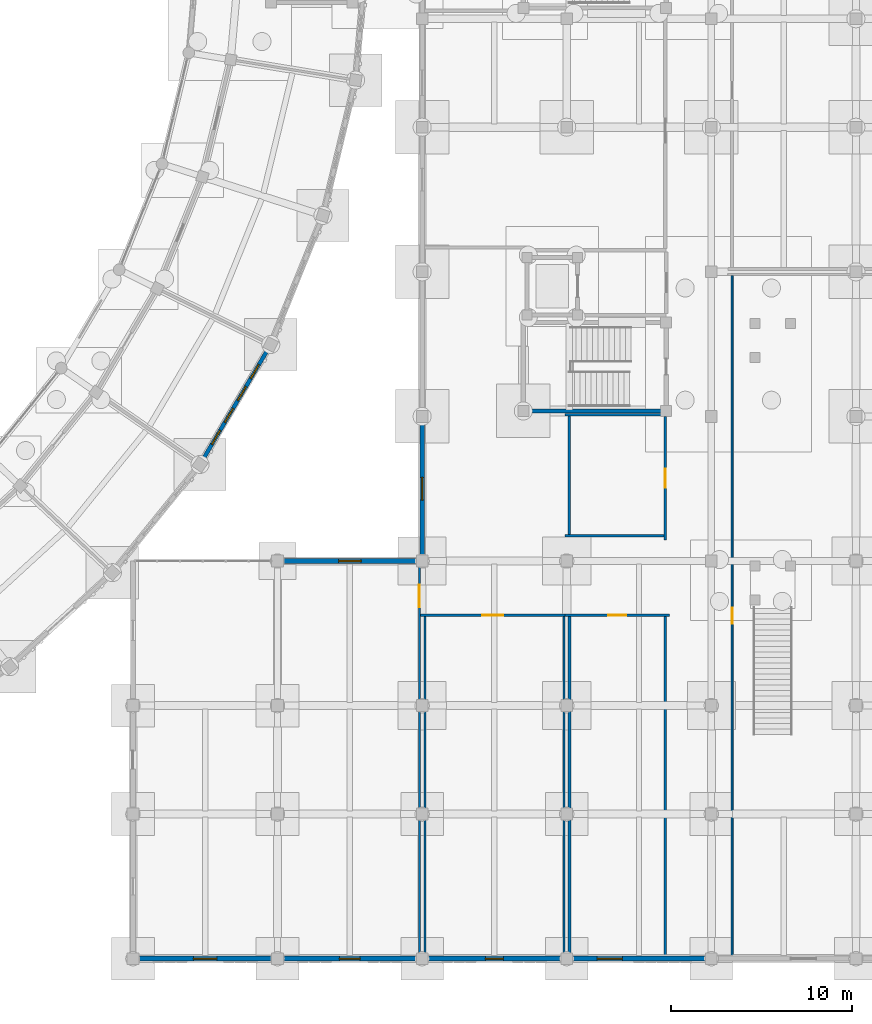
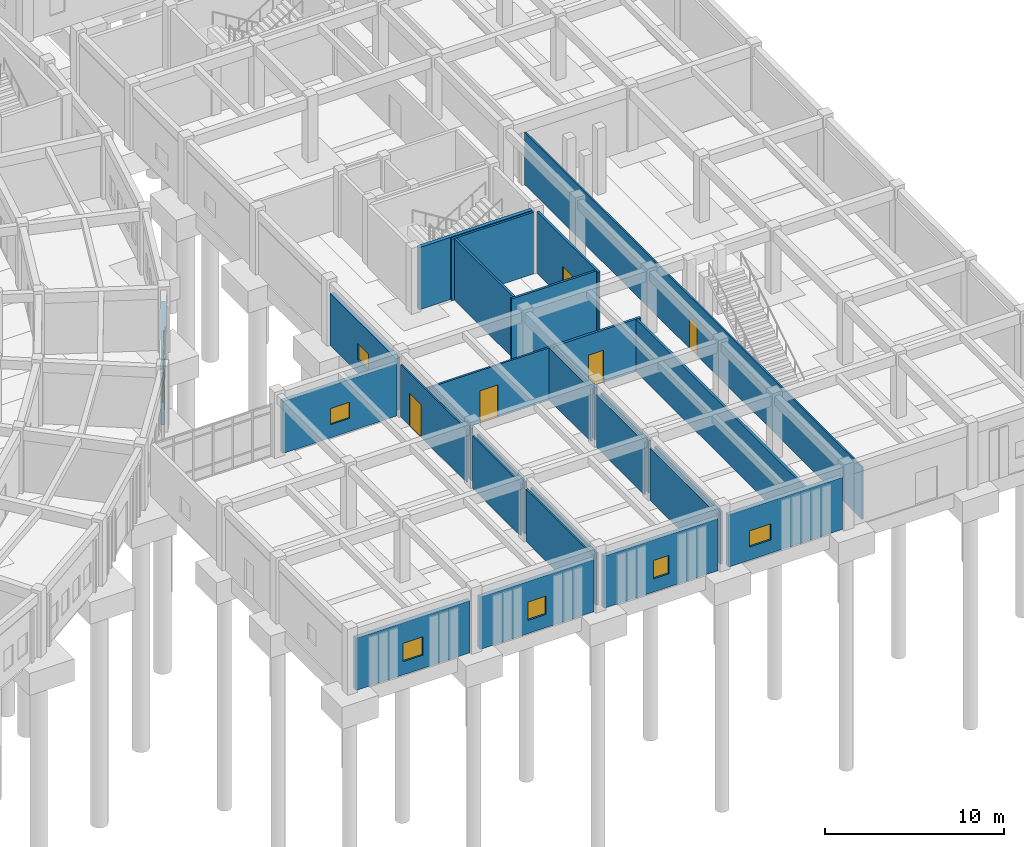
# One storey, part 132 of 153: 28 walls, 10 windows, 5 doors, 15 openings.
"""IFC4 building model written with IfcOpenShell, lengths in metres."""

import ifcopenshell
import ifcopenshell.guid

model = None  # the IFC model being written
_history = None  # IfcOwnerHistory: only IFC2X3 demands one
_inside = {}  # id of a spatial element -> (the spatial element, [elements in it])
_under = {}  # id of a project, library or spatial element -> (it, [spatial elements below it])
_declared = {}  # id of a project -> (the project, [libraries it declares])
_typed = {}  # id of a type object -> (the type object, [elements of that type])
_made_of = {}  # id of a material, layer set ... -> (it, [elements and type objects made of it])


def new_model(schema):
    """Start an empty IFC model of exactly this schema.

    Asked for "IFC4X3", IfcOpenShell would pick the latest addendum, in which some entities
    have other attributes; the version numbers below select the first issue.
    IFC2X3 requires an IfcOwnerHistory on every rooted entity: one is made here for all.
    """
    global model, _history
    if schema == "IFC4X3":
        model = ifcopenshell.file(schema_version=(4, 3, 0, 0))
    else:
        model = ifcopenshell.file(schema=schema)
    _inside.clear()
    _under.clear()
    _declared.clear()
    _typed.clear()
    _made_of.clear()
    _history = None
    if model.schema == "IFC2X3":
        org = make("IfcOrganization", Name="unknown")
        user = make(
            "IfcPersonAndOrganization",
            ThePerson=make("IfcPerson", FamilyName="unknown"),
            TheOrganization=org,
        )
        app = make(
            "IfcApplication",
            ApplicationDeveloper=org,
            Version="unknown",
            ApplicationFullName="unknown",
            ApplicationIdentifier="unknown",
        )
        _history = make(
            "IfcOwnerHistory",
            OwningUser=user,
            OwningApplication=app,
            ChangeAction="ADDED",
            CreationDate=0,
        )
    return model


def make(cls, **values):
    """One entity of the class cls with the attributes given. An attribute that is None is left unset."""
    return model.create_entity(
        cls, **{name: value for name, value in values.items() if value is not None}
    )


def rooted(cls, **values):
    """An entity with a GlobalId (a new one), such as an element, a storey or a relation."""
    return make(cls, GlobalId=ifcopenshell.guid.new(), OwnerHistory=_history, **values)


def si_unit(unit_type, name, prefix=None):
    """IfcSIUnit, for example si_unit("LENGTHUNIT", "METRE", prefix="MILLI")."""
    return make("IfcSIUnit", UnitType=unit_type, Prefix=prefix, Name=name)


def assignment(units):
    """IfcUnitAssignment: the units of a project."""
    return None if units is None else make("IfcUnitAssignment", Units=units)


def point(xyz):
    """IfcCartesianPoint."""
    return None if xyz is None else make("IfcCartesianPoint", Coordinates=xyz)


def direction(xyz):
    """IfcDirection."""
    return None if xyz is None else make("IfcDirection", DirectionRatios=xyz)


def frame(location, z_axis=None, x_axis=None):
    """IfcAxis2Placement3D, a coordinate frame: its origin and axes. An axis left out is left unset."""
    return make(
        "IfcAxis2Placement3D",
        Location=point(location),
        Axis=direction(z_axis),
        RefDirection=direction(x_axis),
    )


def frame_2d(location, x_axis=None):
    """IfcAxis2Placement2D, a coordinate frame in the plane: its origin and x axis."""
    return make(
        "IfcAxis2Placement2D", Location=point(location), RefDirection=direction(x_axis)
    )


def origin():
    """The frame at (0, 0, 0) with its axes left unset."""
    return frame((0.0, 0.0, 0.0))


def place(relative_to, where):
    """IfcLocalPlacement: puts the frame where relative to a parent placement (None: the world)."""
    return make(
        "IfcLocalPlacement", PlacementRelTo=relative_to, RelativePlacement=where
    )


def context(
    kind, dimensions, precision=None, world=None, true_north=None, identifier=None
):
    """IfcGeometricRepresentationContext, for example the 3D "Model" context."""
    return make(
        "IfcGeometricRepresentationContext",
        ContextIdentifier=identifier,
        ContextType=kind,
        CoordinateSpaceDimension=dimensions,
        Precision=precision,
        WorldCoordinateSystem=world,
        TrueNorth=true_north,
    )


def subcontext(parent, identifier, kind, view, scale=None):
    """IfcGeometricRepresentationSubContext, for example "Body" below "Model"."""
    return make(
        "IfcGeometricRepresentationSubContext",
        ContextIdentifier=identifier,
        ContextType=kind,
        ParentContext=parent,
        TargetScale=scale,
        TargetView=view,
    )


def project(units=None, contexts=None):
    """IfcProject with its units and contexts."""
    return rooted(
        "IfcProject",
        Name="project",
        RepresentationContexts=contexts,
        UnitsInContext=assignment(units),
    )


def spatial(cls, under=None, at=None, **own):
    """A site, building, storey or space (cls), placed at a placement, below another one or the project."""
    s = rooted(cls, ObjectPlacement=at, **own)
    if under is not None:
        _under.setdefault(under.id(), (under, []))[1].append(s)
    return s


def profile(cls, at=None, kind="AREA", **sizes):
    """A parametric profile (cls). Its sizes go by their IFC names, for example OverallWidth=200.0."""
    return make(cls, ProfileType=kind, Position=at, **sizes)


def rectangle(**sizes):
    """IfcRectangleProfileDef."""
    return profile("IfcRectangleProfileDef", **sizes)


def extrude(swept, where, along, depth):
    """IfcExtrudedAreaSolid: the profile swept, set in the frame where, extruded along a direction by depth."""
    return make(
        "IfcExtrudedAreaSolid",
        SweptArea=swept,
        Position=where,
        ExtrudedDirection=direction(along),
        Depth=depth,
    )


def shape(context_of_items, identifier, shape_type, items):
    """IfcShapeRepresentation: the items that make up one representation, for example the "Body"."""
    return make(
        "IfcShapeRepresentation",
        ContextOfItems=context_of_items,
        RepresentationIdentifier=identifier,
        RepresentationType=shape_type,
        Items=items,
    )


def material(Name=None, Category=None):
    """IfcMaterial."""
    return make("IfcMaterial", Name=Name, Category=Category)


def layer(
    of_material, thickness, ventilated=None, Name=None, Category=None, Priority=None
):
    """IfcMaterialLayer: one layer of a wall or slab, of a material (None: an air gap)."""
    return make(
        "IfcMaterialLayer",
        Material=of_material,
        LayerThickness=thickness,
        IsVentilated=ventilated,
        Name=Name,
        Category=Category,
        Priority=Priority,
    )


def layer_set(layers, Name=None):
    """IfcMaterialLayerSet."""
    return make("IfcMaterialLayerSet", MaterialLayers=layers, LayerSetName=Name)


def made_of(thing, what):
    """Note that an element or type object is made of a material, layer set ...; save() writes the relation."""
    if what is not None:
        _made_of.setdefault(what.id(), (what, []))[1].append(thing)
    return thing


def type_object(cls, material=None, **own):
    """A type object (cls), such as IfcWallType, which elements share."""
    return made_of(rooted(cls, **own), material)


def element(
    cls,
    number,
    at=None,
    inside=None,
    cuts=None,
    type_object=None,
    material=None,
    context=None,
    identifier="Body",
    shape_type=None,
    held_by="IfcProductDefinitionShape",
    body=None,
    shapes=None,
    **own,
):
    """One element of the class cls, such as IfcWall. Its Tag is "e" and its number.

    at: its placement. inside: the storey or other place that contains it. cuts: it is an
    opening in that element (IfcRelVoidsElement). A single representation is given by context,
    identifier, shape_type and body (its items); several are given by shapes. held_by: the class
    of the entity that holds the representations. save() writes the other relations.
    """
    e = rooted(cls, Tag="e%d" % number, ObjectPlacement=at, **own)
    if body is not None:
        shapes = [shape(context, identifier, shape_type, body)]
    if shapes is not None:
        e.Representation = make(held_by, Representations=shapes)
    if inside is not None:
        _inside.setdefault(inside.id(), (inside, []))[1].append(e)
    if cuts is not None:
        rooted(
            "IfcRelVoidsElement", RelatingBuildingElement=cuts, RelatedOpeningElement=e
        )
    if type_object is not None:
        _typed.setdefault(type_object.id(), (type_object, []))[1].append(e)
    return made_of(e, material)


def fill(opening, filler):
    """IfcRelFillsElement: the door or window that sits in an opening."""
    return rooted(
        "IfcRelFillsElement",
        RelatingOpeningElement=opening,
        RelatedBuildingElement=filler,
    )


def aggregate(whole, parts):
    """IfcRelAggregates: a whole, such as a stair, and the parts it consists of."""
    return rooted("IfcRelAggregates", RelatingObject=whole, RelatedObjects=parts)


def save(model, path):
    """Write the relations noted so far, then the file.

    IfcRelAggregates (storeys below a building ...), IfcRelContainedInSpatialStructure (elements
    in a storey), IfcRelDefinesByType, IfcRelAssociatesMaterial and IfcRelDeclares: one each for
    every whole, place, type object, material and project.
    """
    for whole, parts in _under.values():
        aggregate(whole, parts)
    for where, things in _inside.values():
        rooted(
            "IfcRelContainedInSpatialStructure",
            RelatedElements=things,
            RelatingStructure=where,
        )
    for kind, things in _typed.values():
        rooted("IfcRelDefinesByType", RelatedObjects=things, RelatingType=kind)
    for what, things in _made_of.values():
        rooted("IfcRelAssociatesMaterial", RelatedObjects=things, RelatingMaterial=what)
    for by, libraries in _declared.values():
        rooted("IfcRelDeclares", RelatingContext=by, RelatedDefinitions=libraries)
    model.write(path)


model = new_model("IFC4")

# Units and contexts
model_context = context("Model", 3, precision=1e-05, world=origin(), true_north=direction((0.0, 1.0)))
body_context = subcontext(model_context, "Body", "Model", "MODEL_VIEW")
ifc_project = project(units=[si_unit("LENGTHUNIT", "METRE"), si_unit("AREAUNIT", "SQUARE_METRE"), si_unit("VOLUMEUNIT", "CUBIC_METRE"), si_unit("PLANEANGLEUNIT", "RADIAN"), si_unit("MASSUNIT", "GRAM", prefix="KILO")], contexts=[model_context])

# Site, building, storey
site_placement = place(None, origin())
site = spatial("IfcSite", under=ifc_project, at=site_placement, CompositionType="ELEMENT")
building_placement = place(site_placement, origin())
building = spatial("IfcBuilding", under=site, at=building_placement, Name="Celadon Cloister-Ring School", CompositionType="ELEMENT")
storey_placement = place(building_placement, origin())
storey = spatial("IfcBuildingStorey", under=building, at=storey_placement, Name="L00", CompositionType="ELEMENT", Elevation=0.0)

# Wall, opening, window
ifc_material_1 = material(Name="Rendered concrete blockwork", Category="masonry")
ifc_layer_1 = layer(ifc_material_1, 0.280029296875)
ifc_layer_set_1 = layer_set([ifc_layer_1], Name="Rendered concrete blockwork")
wall_type_1 = type_object("IfcWallType", Name="WT-EX1", PredefinedType="SOLIDWALL", material=ifc_layer_set_1)
wall_1_placement = place(storey_placement, frame((157.673095703125, 2.0, 0.0), z_axis=(0.0, 0.0, 1.0), x_axis=(-1.0, 0.0, 0.0)))
wall_1 = element("IfcWall", 1, at=wall_1_placement, inside=storey, type_object=wall_type_1, Name="Exterior Wall 0420", PredefinedType="SOLIDWALL", context=body_context, shape_type="SweptSolid", body=[
    extrude(rectangle(XDim=7.34619140625, YDim=0.280029296875, at=frame_2d((3.673095703125, 0.0))), origin(), (0.0, 0.0, 1.0), 3.550048828125),
])
opening_1_placement = place(wall_1_placement, frame((4.589111328125, 0.0, 0.89990234375)))
opening_1 = element("IfcOpeningElement", 2, at=opening_1_placement, cuts=wall_1, Name="Opening WN-05", PredefinedType="OPENING", context=body_context, shape_type="SweptSolid", body=[
    extrude(rectangle(XDim=1.39990234375, YDim=1.10009765625, at=frame_2d((0.699951171875, 0.550048828125))), frame((0.0, 0.14990234375, 0.0), z_axis=(0.0, -1.0, 0.0), x_axis=(1.0, 0.0, 0.0)), (0.0, 0.0, 1.0), 0.300048828125),
])
ifc_material_2 = material(Name="Tempered laminated insulating glass", Category="glass")
window_type_1 = type_object("IfcWindowType", Name="WN-05", PartitioningType="SINGLE_PANEL", PredefinedType="WINDOW", material=ifc_material_2)
window_1_placement = place(opening_1_placement, origin())
window_1 = element("IfcWindow", 3, at=window_1_placement, inside=storey, type_object=window_type_1, Name="Window 0961", OverallHeight=1.10009765625, OverallWidth=1.39990234375, PartitioningType="SINGLE_PANEL", PredefinedType="WINDOW", context=body_context, shape_type="SweptSolid", body=[
    extrude(rectangle(XDim=1.39990234375, YDim=1.10009765625, at=frame_2d((0.699951171875, 0.550048828125))), frame((0.0, 0.030029296875, 0.0), z_axis=(0.0, -1.0, 0.0), x_axis=(1.0, 0.0, 0.0)), (0.0, 0.0, 1.0), 0.06005859375),
])
fill(opening_1, window_1)

wall_2_placement = place(storey_placement, frame((149.673095703125, 2.0, 0.0), z_axis=(0.0, 0.0, 1.0), x_axis=(-1.0, 0.0, 0.0)))
wall_2 = element("IfcWall", 4, at=wall_2_placement, inside=storey, type_object=wall_type_1, Name="Exterior Wall 0421", PredefinedType="SOLIDWALL", context=body_context, shape_type="SweptSolid", body=[
    extrude(rectangle(XDim=7.34619140625, YDim=0.280029296875, at=frame_2d((3.673095703125, 0.0))), origin(), (0.0, 0.0, 1.0), 3.550048828125),
])
opening_2_placement = place(wall_2_placement, frame((3.173095703125, 0.0, 0.89990234375)))
opening_2 = element("IfcOpeningElement", 5, at=opening_2_placement, cuts=wall_2, Name="Opening WN-12", PredefinedType="OPENING", context=body_context, shape_type="SweptSolid", body=[
    extrude(rectangle(XDim=1.0, YDim=1.25, at=frame_2d((0.5, 0.625))), frame((0.0, 0.14990234375, 0.0), z_axis=(0.0, -1.0, 0.0), x_axis=(1.0, 0.0, 0.0)), (0.0, 0.0, 1.0), 0.300048828125),
])
ifc_material_3 = material(Name="Tempered laminated insulating glass", Category="glass")
window_type_2 = type_object("IfcWindowType", Name="WN-12", PartitioningType="SINGLE_PANEL", PredefinedType="WINDOW", material=ifc_material_3)
window_2_placement = place(opening_2_placement, origin())
window_2 = element("IfcWindow", 6, at=window_2_placement, inside=storey, type_object=window_type_2, Name="Window 0962", OverallHeight=1.25, OverallWidth=1.0, PartitioningType="SINGLE_PANEL", PredefinedType="WINDOW", context=body_context, shape_type="SweptSolid", body=[
    extrude(rectangle(XDim=1.0, YDim=1.25, at=frame_2d((0.5, 0.625))), frame((0.0, 0.030029296875, 0.0), z_axis=(0.0, -1.0, 0.0), x_axis=(1.0, 0.0, 0.0)), (0.0, 0.0, 1.0), 0.06005859375),
])
fill(opening_2, window_2)

wall_3_placement = place(storey_placement, frame((141.673095703125, 2.0, 0.0), z_axis=(0.0, 0.0, 1.0), x_axis=(-1.0, 0.0, 0.0)))
wall_3 = element("IfcWall", 7, at=wall_3_placement, inside=storey, type_object=wall_type_1, Name="Exterior Wall 0422", PredefinedType="SOLIDWALL", context=body_context, shape_type="SweptSolid", body=[
    extrude(rectangle(XDim=7.34619140625, YDim=0.280029296875, at=frame_2d((3.673095703125, 0.0))), origin(), (0.0, 0.0, 1.0), 3.550048828125),
])
opening_3_placement = place(wall_3_placement, frame((3.097900390625, 0.0, 0.89990234375)))
opening_3 = element("IfcOpeningElement", 8, at=opening_3_placement, cuts=wall_3, Name="Opening WN-13", PredefinedType="OPENING", context=body_context, shape_type="SweptSolid", body=[
    extrude(rectangle(XDim=1.14990234375, YDim=1.25, at=frame_2d((0.574951171875, 0.625))), frame((0.0, 0.14990234375, 0.0), z_axis=(0.0, -1.0, 0.0), x_axis=(1.0, 0.0, 0.0)), (0.0, 0.0, 1.0), 0.300048828125),
])
ifc_material_4 = material(Name="Tempered laminated insulating glass", Category="glass")
window_type_3 = type_object("IfcWindowType", Name="WN-13", PartitioningType="SINGLE_PANEL", PredefinedType="WINDOW", material=ifc_material_4)
window_3_placement = place(opening_3_placement, origin())
window_3 = element("IfcWindow", 9, at=window_3_placement, inside=storey, type_object=window_type_3, Name="Window 0963", OverallHeight=1.25, OverallWidth=1.14990234375, PartitioningType="SINGLE_PANEL", PredefinedType="WINDOW", context=body_context, shape_type="SweptSolid", body=[
    extrude(rectangle(XDim=1.14990234375, YDim=1.25, at=frame_2d((0.574951171875, 0.625))), frame((0.0, 0.030029296875, 0.0), z_axis=(0.0, -1.0, 0.0), x_axis=(1.0, 0.0, 0.0)), (0.0, 0.0, 1.0), 0.06005859375),
])
fill(opening_3, window_3)

wall_4_placement = place(storey_placement, frame((133.673095703125, 2.0, 0.0), z_axis=(0.0, 0.0, 1.0), x_axis=(-1.0, 0.0, 0.0)))
wall_4 = element("IfcWall", 10, at=wall_4_placement, inside=storey, type_object=wall_type_1, Name="Exterior Wall 0423", PredefinedType="SOLIDWALL", context=body_context, shape_type="SweptSolid", body=[
    extrude(rectangle(XDim=7.34619140625, YDim=0.280029296875, at=frame_2d((3.673095703125, 0.0))), origin(), (0.0, 0.0, 1.0), 3.550048828125),
])
opening_4_placement = place(wall_4_placement, frame((3.02294921875, 0.0, 0.89990234375)))
opening_4 = element("IfcOpeningElement", 11, at=opening_4_placement, cuts=wall_4, Name="Opening WN-14", PredefinedType="OPENING", context=body_context, shape_type="SweptSolid", body=[
    extrude(rectangle(XDim=1.300048828125, YDim=1.25, at=frame_2d((0.64990234375, 0.625))), frame((0.0, 0.14990234375, 0.0), z_axis=(0.0, -1.0, 0.0), x_axis=(1.0, 0.0, 0.0)), (0.0, 0.0, 1.0), 0.300048828125),
])
ifc_material_5 = material(Name="Tempered laminated insulating glass", Category="glass")
window_type_4 = type_object("IfcWindowType", Name="WN-14", PartitioningType="SINGLE_PANEL", PredefinedType="WINDOW", material=ifc_material_5)
window_4_placement = place(opening_4_placement, origin())
window_4 = element("IfcWindow", 12, at=window_4_placement, inside=storey, type_object=window_type_4, Name="Window 0964", OverallHeight=1.25, OverallWidth=1.300048828125, PartitioningType="SINGLE_PANEL", PredefinedType="WINDOW", context=body_context, shape_type="SweptSolid", body=[
    extrude(rectangle(XDim=1.300048828125, YDim=1.25, at=frame_2d((0.64990234375, 0.625))), frame((0.0, 0.030029296875, 0.0), z_axis=(0.0, -1.0, 0.0), x_axis=(1.0, 0.0, 0.0)), (0.0, 0.0, 1.0), 0.06005859375),
])
fill(opening_4, window_4)

ifc_material_6 = material(Name="Rendered concrete blockwork", Category="masonry")
ifc_layer_2 = layer(ifc_material_6, 0.260009765625)
ifc_layer_set_2 = layer_set([ifc_layer_2], Name="Rendered concrete blockwork")
wall_type_2 = type_object("IfcWallType", Name="WT-EX2", PredefinedType="SOLIDWALL", material=ifc_layer_set_2)
wall_5_placement = place(storey_placement, frame((134.326904296875, 24.0, 0.0), z_axis=(0.0, 0.0, 1.0), x_axis=(1.0, 0.0, 0.0)))
wall_5 = element("IfcWall", 13, at=wall_5_placement, inside=storey, type_object=wall_type_2, Name="Exterior Wall 0400", PredefinedType="SOLIDWALL", context=body_context, shape_type="SweptSolid", body=[
    extrude(rectangle(XDim=7.34619140625, YDim=0.260009765625, at=frame_2d((3.673095703125, 0.0))), origin(), (0.0, 0.0, 1.0), 3.550048828125),
])
opening_5_placement = place(wall_5_placement, frame((3.048095703125, 0.0, 0.89990234375)))
opening_5 = element("IfcOpeningElement", 14, at=opening_5_placement, cuts=wall_5, Name="Opening WN-04", PredefinedType="OPENING", context=body_context, shape_type="SweptSolid", body=[
    extrude(rectangle(XDim=1.25, YDim=1.10009765625, at=frame_2d((0.625, 0.550048828125))), frame((0.0, 0.14013671875, 0.0), z_axis=(0.0, -1.0, 0.0), x_axis=(1.0, 0.0, 0.0)), (0.0, 0.0, 1.0), 0.280029296875),
])
ifc_material_7 = material(Name="Tempered laminated insulating glass", Category="glass")
window_type_5 = type_object("IfcWindowType", Name="WN-04", PartitioningType="SINGLE_PANEL", PredefinedType="WINDOW", material=ifc_material_7)
window_5_placement = place(opening_5_placement, origin())
window_5 = element("IfcWindow", 15, at=window_5_placement, inside=storey, type_object=window_type_5, Name="Window 0954", OverallHeight=1.10009765625, OverallWidth=1.25, PartitioningType="SINGLE_PANEL", PredefinedType="WINDOW", context=body_context, shape_type="SweptSolid", body=[
    extrude(rectangle(XDim=1.25, YDim=1.10009765625, at=frame_2d((0.625, 0.550048828125))), frame((0.0, 0.030029296875, 0.0), z_axis=(0.0, -1.0, 0.0), x_axis=(1.0, 0.0, 0.0)), (0.0, 0.0, 1.0), 0.06005859375),
])
fill(opening_5, window_5)

wall_6_placement = place(storey_placement, frame((142.0, 24.326904296875, 0.0), z_axis=(0.0, 0.0, 1.0), x_axis=(0.0, 1.0, 0.0)))
wall_6 = element("IfcWall", 16, at=wall_6_placement, inside=storey, type_object=wall_type_2, Name="Exterior Wall 0401", PredefinedType="SOLIDWALL", context=body_context, shape_type="SweptSolid", body=[
    extrude(rectangle(XDim=7.34619140625, YDim=0.260009765625, at=frame_2d((3.673095703125, 0.0))), origin(), (0.0, 0.0, 1.0), 3.550048828125),
])
opening_6_placement = place(wall_6_placement, frame((3.048095703125, 0.0, 0.89990234375)))
opening_6 = element("IfcOpeningElement", 17, at=opening_6_placement, cuts=wall_6, Name="Opening WN-04", PredefinedType="OPENING", context=body_context, shape_type="SweptSolid", body=[
    extrude(rectangle(XDim=1.25, YDim=1.10009765625, at=frame_2d((0.625, 0.550048828125))), frame((0.0, 0.14013671875, 0.0), z_axis=(0.0, -1.0, 0.0), x_axis=(1.0, 0.0, 0.0)), (0.0, 0.0, 1.0), 0.280029296875),
])
window_6_placement = place(opening_6_placement, origin())
window_6 = element("IfcWindow", 18, at=window_6_placement, inside=storey, type_object=window_type_5, Name="Window 0955", OverallHeight=1.10009765625, OverallWidth=1.25, PartitioningType="SINGLE_PANEL", PredefinedType="WINDOW", context=body_context, shape_type="SweptSolid", body=[
    extrude(rectangle(XDim=1.25, YDim=1.10009765625, at=frame_2d((0.625, 0.550048828125))), frame((0.0, 0.030029296875, 0.0), z_axis=(0.0, -1.0, 0.0), x_axis=(1.0, 0.0, 0.0)), (0.0, 0.0, 1.0), 0.06005859375),
])
fill(opening_6, window_6)

# Wall, openings, windows
ifc_material_8 = material(Name="Perforated terracotta clay brick masonry", Category="masonry")
ifc_layer_3 = layer(ifc_material_8, 0.219970703125)
ifc_layer_set_3 = layer_set([ifc_layer_3], Name="Perforated terracotta clay brick masonry")
wall_type_3 = type_object("IfcWallType", Name="WT-EX4", PredefinedType="SOLIDWALL", material=ifc_layer_set_3)
wall_7_placement = place(storey_placement, frame((133.4541015625, 35.68798828125, 0.0), z_axis=(0.0, 0.0, 1.0), x_axis=(-0.50780734215, -0.861470663028, 0.0)))
wall_7 = element("IfcWall", 19, at=wall_7_placement, inside=storey, type_object=wall_type_3, Name="Exterior Wall 0035", PredefinedType="SOLIDWALL", context=body_context, shape_type="SweptSolid", body=[
    extrude(rectangle(XDim=7.0322265625, YDim=0.219970703125, at=frame_2d((3.51611328125, 0.0))), origin(), (0.0, 0.0, 1.0), 3.550048828125),
])
opening_7_placement = place(wall_7_placement, frame((0.9560546875, 0.0, 0.85009765625)))
opening_7 = element("IfcOpeningElement", 20, at=opening_7_placement, cuts=wall_7, Name="Opening WN-21", PredefinedType="OPENING", context=body_context, shape_type="SweptSolid", body=[
    extrude(rectangle(XDim=0.89990234375, YDim=1.39990234375, at=frame_2d((0.449951171875, 0.699951171875))), frame((0.0, 0.1201171875, 0.0), z_axis=(0.0, -1.0, 0.0), x_axis=(1.0, 0.0, 0.0)), (0.0, 0.0, 1.0), 0.239990234375),
])
opening_8_placement = place(wall_7_placement, frame((2.363037109375, 0.0, 0.85009765625)))
opening_8 = element("IfcOpeningElement", 21, at=opening_8_placement, cuts=wall_7, Name="Opening WN-21", PredefinedType="OPENING", context=body_context, shape_type="SweptSolid", body=[
    extrude(rectangle(XDim=0.89990234375, YDim=1.39990234375, at=frame_2d((0.449951171875, 0.699951171875))), frame((0.0, 0.1201171875, 0.0), z_axis=(0.0, -1.0, 0.0), x_axis=(1.0, 0.0, 0.0)), (0.0, 0.0, 1.0), 0.239990234375),
])
opening_9_placement = place(wall_7_placement, frame((3.76904296875, 0.0, 0.85009765625)))
opening_9 = element("IfcOpeningElement", 22, at=opening_9_placement, cuts=wall_7, Name="Opening WN-21", PredefinedType="OPENING", context=body_context, shape_type="SweptSolid", body=[
    extrude(rectangle(XDim=0.89990234375, YDim=1.39990234375, at=frame_2d((0.449951171875, 0.699951171875))), frame((0.0, 0.1201171875, 0.0), z_axis=(0.0, -1.0, 0.0), x_axis=(1.0, 0.0, 0.0)), (0.0, 0.0, 1.0), 0.239990234375),
])
opening_10_placement = place(wall_7_placement, frame((5.176025390625, 0.0, 0.85009765625)))
opening_10 = element("IfcOpeningElement", 23, at=opening_10_placement, cuts=wall_7, Name="Opening WN-21", PredefinedType="OPENING", context=body_context, shape_type="SweptSolid", body=[
    extrude(rectangle(XDim=0.89990234375, YDim=1.39990234375, at=frame_2d((0.449951171875, 0.699951171875))), frame((0.0, 0.1201171875, 0.0), z_axis=(0.0, -1.0, 0.0), x_axis=(1.0, 0.0, 0.0)), (0.0, 0.0, 1.0), 0.239990234375),
])
ifc_material_9 = material(Name="Tempered laminated insulating glass", Category="glass")
window_type_6 = type_object("IfcWindowType", Name="WN-21", PartitioningType="SINGLE_PANEL", PredefinedType="WINDOW", material=ifc_material_9)
window_7_placement = place(opening_7_placement, origin())
window_7 = element("IfcWindow", 24, at=window_7_placement, inside=storey, type_object=window_type_6, Name="Window 0087", OverallHeight=1.39990234375, OverallWidth=0.89990234375, PartitioningType="SINGLE_PANEL", PredefinedType="WINDOW", context=body_context, shape_type="SweptSolid", body=[
    extrude(rectangle(XDim=0.89990234375, YDim=1.39990234375, at=frame_2d((0.449951171875, 0.699951171875))), frame((0.0, 0.030029296875, 0.0), z_axis=(0.0, -1.0, 0.0), x_axis=(1.0, 0.0, 0.0)), (0.0, 0.0, 1.0), 0.06005859375),
])
fill(opening_7, window_7)
window_8_placement = place(opening_8_placement, origin())
window_8 = element("IfcWindow", 25, at=window_8_placement, inside=storey, type_object=window_type_6, Name="Window 0088", OverallHeight=1.39990234375, OverallWidth=0.89990234375, PartitioningType="SINGLE_PANEL", PredefinedType="WINDOW", context=body_context, shape_type="SweptSolid", body=[
    extrude(rectangle(XDim=0.89990234375, YDim=1.39990234375, at=frame_2d((0.449951171875, 0.699951171875))), frame((0.0, 0.030029296875, 0.0), z_axis=(0.0, -1.0, 0.0), x_axis=(1.0, 0.0, 0.0)), (0.0, 0.0, 1.0), 0.06005859375),
])
fill(opening_8, window_8)
window_9_placement = place(opening_9_placement, origin())
window_9 = element("IfcWindow", 26, at=window_9_placement, inside=storey, type_object=window_type_6, Name="Window 0089", OverallHeight=1.39990234375, OverallWidth=0.89990234375, PartitioningType="SINGLE_PANEL", PredefinedType="WINDOW", context=body_context, shape_type="SweptSolid", body=[
    extrude(rectangle(XDim=0.89990234375, YDim=1.39990234375, at=frame_2d((0.449951171875, 0.699951171875))), frame((0.0, 0.030029296875, 0.0), z_axis=(0.0, -1.0, 0.0), x_axis=(1.0, 0.0, 0.0)), (0.0, 0.0, 1.0), 0.06005859375),
])
fill(opening_9, window_9)
window_10_placement = place(opening_10_placement, origin())
window_10 = element("IfcWindow", 27, at=window_10_placement, inside=storey, type_object=window_type_6, Name="Window 0090", OverallHeight=1.39990234375, OverallWidth=0.89990234375, PartitioningType="SINGLE_PANEL", PredefinedType="WINDOW", context=body_context, shape_type="SweptSolid", body=[
    extrude(rectangle(XDim=0.89990234375, YDim=1.39990234375, at=frame_2d((0.449951171875, 0.699951171875))), frame((0.0, 0.030029296875, 0.0), z_axis=(0.0, -1.0, 0.0), x_axis=(1.0, 0.0, 0.0)), (0.0, 0.0, 1.0), 0.06005859375),
])
fill(opening_10, window_10)

# Wall, opening, door
ifc_material_10 = material(Name="Plastered hollow concrete masonry", Category="masonry")
ifc_layer_4 = layer(ifc_material_10, 0.159912109375)
ifc_layer_set_4 = layer_set([ifc_layer_4], Name="Plastered hollow concrete masonry")
wall_type_4 = type_object("IfcWallType", Name="WT-PT3", PredefinedType="PARTITIONING", material=ifc_layer_set_4)
wall_8_placement = place(storey_placement, frame((149.909912109375, 21.0, 0.0), z_axis=(0.0, 0.0, 1.0), x_axis=(1.0, 0.0, 0.0)))
wall_8 = element("IfcWall", 28, at=wall_8_placement, inside=storey, type_object=wall_type_4, Name="Interior Wall 0889", PredefinedType="PARTITIONING", context=body_context, shape_type="SweptSolid", body=[
    extrude(rectangle(XDim=5.780029296875, YDim=0.159912109375, at=frame_2d((2.89013671875, 0.0))), origin(), (0.0, 0.0, 1.0), 3.572021484375),
])
opening_11_placement = place(wall_8_placement, frame((2.39990234375, 0.0, 0.0)))
opening_11 = element("IfcOpeningElement", 29, at=opening_11_placement, cuts=wall_8, Name="Opening D-0327", PredefinedType="OPENING", context=body_context, shape_type="SweptSolid", body=[
    extrude(rectangle(XDim=0.97998046875, YDim=2.199951171875, at=frame_2d((0.489990234375, 1.10009765625))), frame((0.0, 0.08984375, 0.0), z_axis=(0.0, -1.0, 0.0), x_axis=(1.0, 0.0, 0.0)), (0.0, 0.0, 1.0), 0.179931640625),
])
ifc_material_11 = material(Name="Solid-core fire-rated hardwood leaf", Category="wood")
door_type_1 = type_object("IfcDoorType", Name="DT-07", OperationType="NOTDEFINED", PredefinedType="DOOR", material=ifc_material_11)
door_1_placement = place(opening_11_placement, origin())
door_1 = element("IfcDoor", 30, at=door_1_placement, inside=storey, type_object=door_type_1, Name="Door D-0327", OperationType="SINGLE_SWING_LEFT", OverallHeight=2.199951171875, OverallWidth=0.97998046875, PredefinedType="DOOR", context=body_context, shape_type="SweptSolid", body=[
    extrude(rectangle(XDim=0.97998046875, YDim=2.199951171875, at=frame_2d((0.489990234375, 1.10009765625))), frame((0.0, 0.02490234375, 0.0), z_axis=(0.0, -1.0, 0.0), x_axis=(1.0, 0.0, 0.0)), (0.0, 0.0, 1.0), 0.050048828125),
])
fill(opening_11, door_1)

# Walls
wall_9_placement = place(storey_placement, frame((155.449951171875, 20.9169921875, 0.0), z_axis=(0.0, 0.0, 1.0), x_axis=(0.0, -1.0, 0.0)))
element("IfcWall", 31, at=wall_9_placement, inside=storey, type_object=wall_type_4, Name="Interior Wall 0890", PredefinedType="PARTITIONING", context=body_context, shape_type="SweptSolid", body=[
    extrude(rectangle(XDim=18.77392578125, YDim=0.159912109375, at=frame_2d((9.386962890625, 0.0))), origin(), (0.0, 0.0, 1.0), 3.572021484375),
])
wall_10_placement = place(storey_placement, frame((150.14990234375, 2.31689453125, 0.0), z_axis=(0.0, 0.0, 1.0), x_axis=(0.0, 1.0, 0.0)))
element("IfcWall", 32, at=wall_10_placement, inside=storey, type_object=wall_type_4, Name="Interior Wall 0891", PredefinedType="PARTITIONING", context=body_context, shape_type="SweptSolid", body=[
    extrude(rectangle(XDim=7.3662109375, YDim=0.159912109375, at=frame_2d((3.68310546875, 0.0))), origin(), (0.0, 0.0, 1.0), 3.572021484375),
])
wall_11_placement = place(storey_placement, frame((150.14990234375, 10.31689453125, 0.0), z_axis=(0.0, 0.0, 1.0), x_axis=(0.0, 1.0, 0.0)))
element("IfcWall", 33, at=wall_11_placement, inside=storey, type_object=wall_type_4, Name="Interior Wall 0892", PredefinedType="PARTITIONING", context=body_context, shape_type="SweptSolid", body=[
    extrude(rectangle(XDim=5.3662109375, YDim=0.159912109375, at=frame_2d((2.68310546875, 0.0))), origin(), (0.0, 0.0, 1.0), 3.572021484375),
])
wall_12_placement = place(storey_placement, frame((150.14990234375, 16.31689453125, 0.0), z_axis=(0.0, 0.0, 1.0), x_axis=(0.0, 1.0, 0.0)))
element("IfcWall", 34, at=wall_12_placement, inside=storey, type_object=wall_type_4, Name="Interior Wall 0893", PredefinedType="PARTITIONING", context=body_context, shape_type="SweptSolid", body=[
    extrude(rectangle(XDim=4.60009765625, YDim=0.159912109375, at=frame_2d((2.300048828125, 0.0))), origin(), (0.0, 0.0, 1.0), 3.572021484375),
])
ifc_material_12 = material(Name="Acoustic mineral-wool drywall partition")
ifc_layer_5 = layer(ifc_material_12, 0.139892578125)
ifc_layer_set_5 = layer_set([ifc_layer_5], Name="Acoustic mineral-wool drywall partition")
wall_type_5 = type_object("IfcWallType", Name="WT-PT4", PredefinedType="PARTITIONING", material=ifc_layer_set_5)
wall_13_placement = place(storey_placement, frame((149.909912109375, 32.10009765625, 0.0), z_axis=(0.0, 0.0, 1.0), x_axis=(1.0, 0.0, 0.0)))
element("IfcWall", 35, at=wall_13_placement, inside=storey, type_object=wall_type_5, Name="Interior Wall 0894", PredefinedType="PARTITIONING", context=body_context, shape_type="SweptSolid", body=[
    extrude(rectangle(XDim=5.298095703125, YDim=0.139892578125, at=frame_2d((2.64892578125, 0.0))), origin(), (0.0, 0.0, 1.0), 4.199951171875),
])

# Wall, opening, door
wall_14_placement = place(storey_placement, frame((155.449951171875, 32.008056640625, 0.0), z_axis=(0.0, 0.0, 1.0), x_axis=(0.0, -1.0, 0.0)))
wall_14 = element("IfcWall", 36, at=wall_14_placement, inside=storey, type_object=wall_type_5, Name="Interior Wall 0895", PredefinedType="PARTITIONING", context=body_context, shape_type="SweptSolid", body=[
    extrude(rectangle(XDim=6.84814453125, YDim=0.139892578125, at=frame_2d((3.424072265625, 0.0))), origin(), (0.0, 0.0, 1.0), 4.199951171875),
])
opening_12_placement = place(wall_14_placement, frame((2.89404296875, 0.0, 0.0)))
opening_12 = element("IfcOpeningElement", 37, at=opening_12_placement, cuts=wall_14, Name="Opening D-0328", PredefinedType="OPENING", context=body_context, shape_type="SweptSolid", body=[
    extrude(rectangle(XDim=1.06005859375, YDim=2.199951171875, at=frame_2d((0.530029296875, 1.10009765625))), frame((0.0, 0.080078125, 0.0), z_axis=(0.0, -1.0, 0.0), x_axis=(1.0, 0.0, 0.0)), (0.0, 0.0, 1.0), 0.159912109375),
])
ifc_material_13 = material(Name="Solid-core fire-rated hardwood leaf", Category="wood")
door_type_2 = type_object("IfcDoorType", Name="DT-08", OperationType="NOTDEFINED", PredefinedType="DOOR", material=ifc_material_13)
door_2_placement = place(opening_12_placement, origin())
door_2 = element("IfcDoor", 38, at=door_2_placement, inside=storey, type_object=door_type_2, Name="Door D-0328", OperationType="SINGLE_SWING_RIGHT", OverallHeight=2.199951171875, OverallWidth=1.06005859375, PredefinedType="DOOR", context=body_context, shape_type="SweptSolid", body=[
    extrude(rectangle(XDim=1.06005859375, YDim=2.199951171875, at=frame_2d((0.530029296875, 1.10009765625))), frame((0.0, 0.02490234375, 0.0), z_axis=(0.0, -1.0, 0.0), x_axis=(1.0, 0.0, 0.0)), (0.0, 0.0, 1.0), 0.050048828125),
])
fill(opening_12, door_2)

# Walls
wall_15_placement = place(storey_placement, frame((155.376953125, 25.39990234375, 0.0), z_axis=(0.0, 0.0, 1.0), x_axis=(-1.0, 0.0, 0.0)))
element("IfcWall", 39, at=wall_15_placement, inside=storey, type_object=wall_type_5, Name="Interior Wall 0896", PredefinedType="PARTITIONING", context=body_context, shape_type="SweptSolid", body=[
    extrude(rectangle(XDim=5.467041015625, YDim=0.139892578125, at=frame_2d((2.7333984375, 0.0))), origin(), (0.0, 0.0, 1.0), 4.199951171875),
])
wall_16_placement = place(storey_placement, frame((150.14990234375, 25.472900390625, 0.0), z_axis=(0.0, 0.0, 1.0), x_axis=(0.0, 1.0, 0.0)))
element("IfcWall", 40, at=wall_16_placement, inside=storey, type_object=wall_type_5, Name="Interior Wall 0897", PredefinedType="PARTITIONING", context=body_context, shape_type="SweptSolid", body=[
    extrude(rectangle(XDim=6.55419921875, YDim=0.139892578125, at=frame_2d((3.277099609375, 0.0))), origin(), (0.0, 0.0, 1.0), 4.199951171875),
])

# Wall, opening, door
ifc_material_14 = material(Name="Acoustic mineral-wool drywall partition")
ifc_layer_6 = layer(ifc_material_14, 0.1201171875)
ifc_layer_set_6 = layer_set([ifc_layer_6], Name="Acoustic mineral-wool drywall partition")
wall_type_6 = type_object("IfcWallType", Name="WT-PT5", PredefinedType="PARTITIONING", material=ifc_layer_set_6)
wall_17_placement = place(storey_placement, frame((141.909912109375, 21.0, 0.0), z_axis=(0.0, 0.0, 1.0), x_axis=(1.0, 0.0, 0.0)))
wall_17 = element("IfcWall", 41, at=wall_17_placement, inside=storey, type_object=wall_type_6, Name="Interior Wall 0898", PredefinedType="PARTITIONING", context=body_context, shape_type="SweptSolid", body=[
    extrude(rectangle(XDim=8.0, YDim=0.1201171875, at=frame_2d((4.0, 0.0))), origin(), (0.0, 0.0, 1.0), 3.572021484375),
])
opening_13_placement = place(wall_17_placement, frame((3.425048828125, 0.0, 0.0)))
opening_13 = element("IfcOpeningElement", 42, at=opening_13_placement, cuts=wall_17, Name="Opening D-0329", PredefinedType="OPENING", context=body_context, shape_type="SweptSolid", body=[
    extrude(rectangle(XDim=1.14990234375, YDim=2.199951171875, at=frame_2d((0.574951171875, 1.10009765625))), frame((0.0, 0.070068359375, 0.0), z_axis=(0.0, -1.0, 0.0), x_axis=(1.0, 0.0, 0.0)), (0.0, 0.0, 1.0), 0.14013671875),
])
ifc_material_15 = material(Name="Galvanised fire-rated hollow steel leaf", Category="steel")
door_type_3 = type_object("IfcDoorType", Name="DT-09", OperationType="NOTDEFINED", PredefinedType="DOOR", material=ifc_material_15)
door_3_placement = place(opening_13_placement, origin())
door_3 = element("IfcDoor", 43, at=door_3_placement, inside=storey, type_object=door_type_3, Name="Door D-0329", OperationType="SINGLE_SWING_LEFT", OverallHeight=2.199951171875, OverallWidth=1.14990234375, PredefinedType="DOOR", context=body_context, shape_type="SweptSolid", body=[
    extrude(rectangle(XDim=1.14990234375, YDim=2.199951171875, at=frame_2d((0.574951171875, 1.10009765625))), frame((0.0, 0.02490234375, 0.0), z_axis=(0.0, -1.0, 0.0), x_axis=(1.0, 0.0, 0.0)), (0.0, 0.0, 1.0), 0.050048828125),
])
fill(opening_13, door_3)

# Walls
wall_18_placement = place(storey_placement, frame((149.85009765625, 20.93701171875, 0.0), z_axis=(0.0, 0.0, 1.0), x_axis=(0.0, -1.0, 0.0)))
element("IfcWall", 44, at=wall_18_placement, inside=storey, type_object=wall_type_6, Name="Interior Wall 0899", PredefinedType="PARTITIONING", context=body_context, shape_type="SweptSolid", body=[
    extrude(rectangle(XDim=4.6201171875, YDim=0.1201171875, at=frame_2d((2.31005859375, 0.0))), origin(), (0.0, 0.0, 1.0), 3.572021484375),
])
wall_19_placement = place(storey_placement, frame((149.85009765625, 15.68310546875, 0.0), z_axis=(0.0, 0.0, 1.0), x_axis=(0.0, -1.0, 0.0)))
element("IfcWall", 45, at=wall_19_placement, inside=storey, type_object=wall_type_6, Name="Interior Wall 0900", PredefinedType="PARTITIONING", context=body_context, shape_type="SweptSolid", body=[
    extrude(rectangle(XDim=5.3662109375, YDim=0.1201171875, at=frame_2d((2.68310546875, 0.0))), origin(), (0.0, 0.0, 1.0), 3.572021484375),
])
for number, where, z_axis, x_axis, name in (
    (46, (149.85009765625, 9.68310546875, 0.0), (0.0, 0.0, 1.0), (0.0, -1.0, 0.0), "Interior Wall 0901"),
    (47, (142.14990234375, 2.31689453125, 0.0), (0.0, 0.0, 1.0), (0.0, 1.0, 0.0), "Interior Wall 0902"),
):
    element("IfcWall", number, at=place(storey_placement, frame(where, z_axis=z_axis, x_axis=x_axis)), inside=storey, type_object=wall_type_6, Name=name, PredefinedType="PARTITIONING", context=body_context, shape_type="SweptSolid", body=[
        extrude(rectangle(XDim=7.3662109375, YDim=0.1201171875, at=frame_2d((3.68310546875, 0.0))), origin(), (0.0, 0.0, 1.0), 3.572021484375),
    ])
wall_20_placement = place(storey_placement, frame((142.14990234375, 10.31689453125, 0.0), z_axis=(0.0, 0.0, 1.0), x_axis=(0.0, 1.0, 0.0)))
element("IfcWall", 48, at=wall_20_placement, inside=storey, type_object=wall_type_6, Name="Interior Wall 0903", PredefinedType="PARTITIONING", context=body_context, shape_type="SweptSolid", body=[
    extrude(rectangle(XDim=5.3662109375, YDim=0.1201171875, at=frame_2d((2.68310546875, 0.0))), origin(), (0.0, 0.0, 1.0), 3.572021484375),
])
wall_21_placement = place(storey_placement, frame((142.14990234375, 16.31689453125, 0.0), z_axis=(0.0, 0.0, 1.0), x_axis=(0.0, 1.0, 0.0)))
element("IfcWall", 49, at=wall_21_placement, inside=storey, type_object=wall_type_6, Name="Interior Wall 0904", PredefinedType="PARTITIONING", context=body_context, shape_type="SweptSolid", body=[
    extrude(rectangle(XDim=4.6201171875, YDim=0.1201171875, at=frame_2d((2.31005859375, 0.0))), origin(), (0.0, 0.0, 1.0), 3.572021484375),
])

# Wall, opening, door
ifc_material_16 = material(Name="Acoustic mineral-wool drywall partition")
ifc_layer_7 = layer(ifc_material_16, 0.10009765625)
ifc_layer_set_7 = layer_set([ifc_layer_7], Name="Acoustic mineral-wool drywall partition")
wall_type_7 = type_object("IfcWallType", Name="WT-PT6", PredefinedType="PARTITIONING", material=ifc_layer_set_7)
wall_22_placement = place(storey_placement, frame((159.14990234375, 2.14306640625, 0.0), z_axis=(0.0, 0.0, 1.0), x_axis=(0.0, 1.0, 0.0)))
wall_22 = element("IfcWall", 50, at=wall_22_placement, inside=storey, type_object=wall_type_7, Name="Interior Wall 0885", PredefinedType="PARTITIONING", context=body_context, shape_type="SweptSolid", body=[
    extrude(rectangle(XDim=37.654052734375, YDim=0.10009765625, at=frame_2d((18.8271484375, 0.0))), origin(), (0.0, 0.0, 1.0), 3.572021484375),
])
opening_14_placement = place(wall_22_placement, frame((18.386962890625, 0.0, 0.0)))
opening_14 = element("IfcOpeningElement", 51, at=opening_14_placement, cuts=wall_22, Name="Opening D-0325", PredefinedType="OPENING", context=body_context, shape_type="SweptSolid", body=[
    extrude(rectangle(XDim=0.8798828125, YDim=2.10009765625, at=frame_2d((0.43994140625, 1.050048828125))), frame((0.0, 0.06005859375, 0.0), z_axis=(0.0, -1.0, 0.0), x_axis=(1.0, 0.0, 0.0)), (0.0, 0.0, 1.0), 0.1201171875),
])
ifc_material_17 = material(Name="Solid-core fire-rated hardwood leaf", Category="wood")
door_type_4 = type_object("IfcDoorType", Name="DT-01", OperationType="NOTDEFINED", PredefinedType="DOOR", material=ifc_material_17)
door_4_placement = place(opening_14_placement, origin())
door_4 = element("IfcDoor", 52, at=door_4_placement, inside=storey, type_object=door_type_4, Name="Door D-0325", OperationType="SINGLE_SWING_LEFT", OverallHeight=2.10009765625, OverallWidth=0.8798828125, PredefinedType="DOOR", context=body_context, shape_type="SweptSolid", body=[
    extrude(rectangle(XDim=0.8798828125, YDim=2.10009765625, at=frame_2d((0.43994140625, 1.050048828125))), frame((0.0, 0.02490234375, 0.0), z_axis=(0.0, -1.0, 0.0), x_axis=(1.0, 0.0, 0.0)), (0.0, 0.0, 1.0), 0.050048828125),
])
fill(opening_14, door_4)

wall_23_placement = place(storey_placement, frame((141.85009765625, 23.68310546875, 0.0), z_axis=(0.0, 0.0, 1.0), x_axis=(0.0, -1.0, 0.0)))
wall_23 = element("IfcWall", 53, at=wall_23_placement, inside=storey, type_object=wall_type_7, Name="Interior Wall 0905", PredefinedType="PARTITIONING", context=body_context, shape_type="SweptSolid", body=[
    extrude(rectangle(XDim=7.3662109375, YDim=0.10009765625, at=frame_2d((3.68310546875, 0.0))), origin(), (0.0, 0.0, 1.0), 3.572021484375),
])
opening_15_placement = place(wall_23_placement, frame((0.99609375, 0.0, 0.0)))
opening_15 = element("IfcOpeningElement", 54, at=opening_15_placement, cuts=wall_23, Name="Opening D-0330", PredefinedType="OPENING", context=body_context, shape_type="SweptSolid", body=[
    extrude(rectangle(XDim=1.25, YDim=2.199951171875, at=frame_2d((0.625, 1.10009765625))), frame((0.0, 0.06005859375, 0.0), z_axis=(0.0, -1.0, 0.0), x_axis=(1.0, 0.0, 0.0)), (0.0, 0.0, 1.0), 0.1201171875),
])
ifc_material_18 = material(Name="Galvanised fire-rated hollow steel leaf", Category="steel")
door_type_5 = type_object("IfcDoorType", Name="DT-10", OperationType="NOTDEFINED", PredefinedType="DOOR", material=ifc_material_18)
door_5_placement = place(opening_15_placement, origin())
door_5 = element("IfcDoor", 55, at=door_5_placement, inside=storey, type_object=door_type_5, Name="Door D-0330", OperationType="SINGLE_SWING_RIGHT", OverallHeight=2.199951171875, OverallWidth=1.25, PredefinedType="DOOR", context=body_context, shape_type="SweptSolid", body=[
    extrude(rectangle(XDim=1.25, YDim=2.199951171875, at=frame_2d((0.625, 1.10009765625))), frame((0.0, 0.02490234375, 0.0), z_axis=(0.0, -1.0, 0.0), x_axis=(1.0, 0.0, 0.0)), (0.0, 0.0, 1.0), 0.050048828125),
])
fill(opening_15, door_5)

# Walls
wall_24_placement = place(storey_placement, frame((141.85009765625, 15.68310546875, 0.0), z_axis=(0.0, 0.0, 1.0), x_axis=(0.0, -1.0, 0.0)))
element("IfcWall", 56, at=wall_24_placement, inside=storey, type_object=wall_type_7, Name="Interior Wall 0906", PredefinedType="PARTITIONING", context=body_context, shape_type="SweptSolid", body=[
    extrude(rectangle(XDim=5.3662109375, YDim=0.10009765625, at=frame_2d((2.68310546875, 0.0))), origin(), (0.0, 0.0, 1.0), 3.572021484375),
])
wall_25_placement = place(storey_placement, frame((141.85009765625, 9.68310546875, 0.0), z_axis=(0.0, 0.0, 1.0), x_axis=(0.0, -1.0, 0.0)))
element("IfcWall", 57, at=wall_25_placement, inside=storey, type_object=wall_type_7, Name="Interior Wall 0907", PredefinedType="PARTITIONING", context=body_context, shape_type="SweptSolid", body=[
    extrude(rectangle(XDim=7.3662109375, YDim=0.10009765625, at=frame_2d((3.68310546875, 0.0))), origin(), (0.0, 0.0, 1.0), 3.572021484375),
])
ifc_material_19 = material(Name="Concrete C40/50", Category="concrete")
ifc_layer_8 = layer(ifc_material_19, 0.239990234375)
ifc_layer_set_8 = layer_set([ifc_layer_8], Name="Concrete C40/50")
wall_type_8 = type_object("IfcWallType", Name="WT-SH1", PredefinedType="SHEAR", material=ifc_layer_set_8)
wall_26_placement = place(storey_placement, frame((155.2080078125, 32.300048828125, 0.0), z_axis=(0.0, 0.0, 1.0), x_axis=(-1.0, 0.0, 0.0)))
element("IfcWall", 58, at=wall_26_placement, inside=storey, type_object=wall_type_8, Name="Interior Wall 0131", PredefinedType="SHEAR", context=body_context, shape_type="SweptSolid", body=[
    extrude(rectangle(XDim=7.31591796875, YDim=0.239990234375, at=frame_2d((3.657958984375, 0.0))), origin(), (0.0, 0.0, 1.0), 4.239990234375),
])

save(model, "model.ifc")
